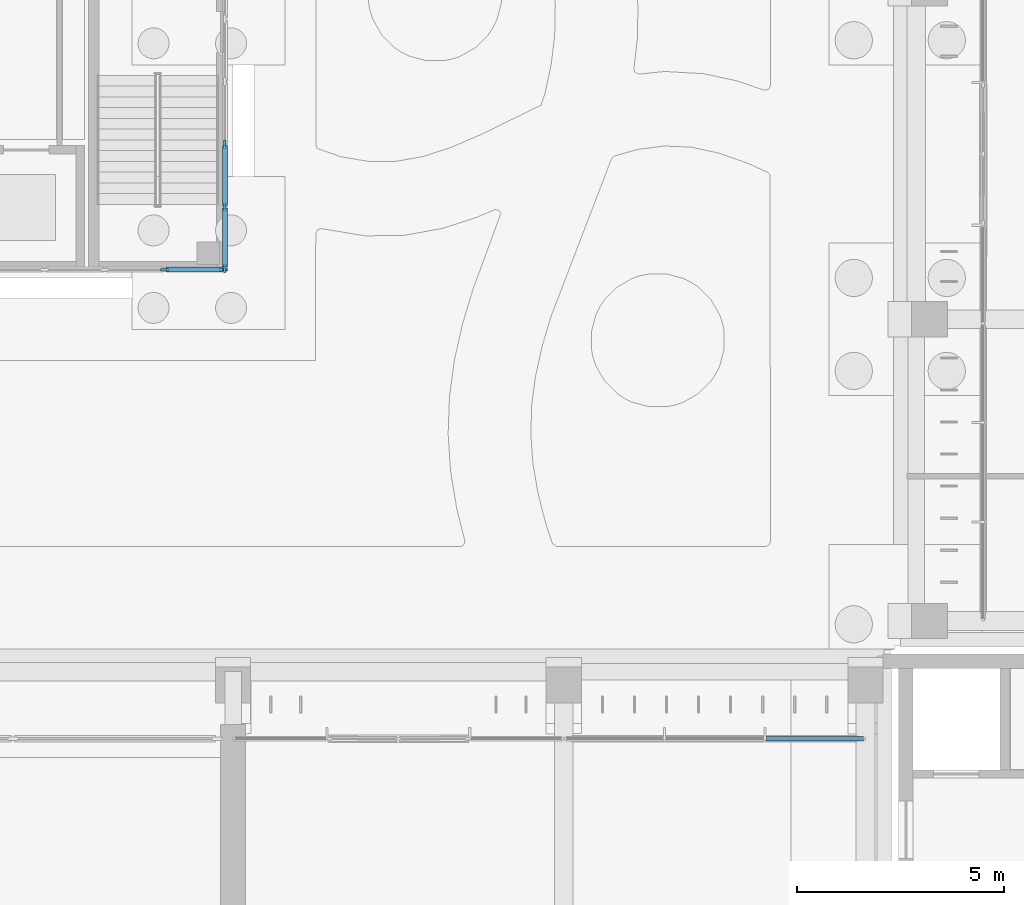
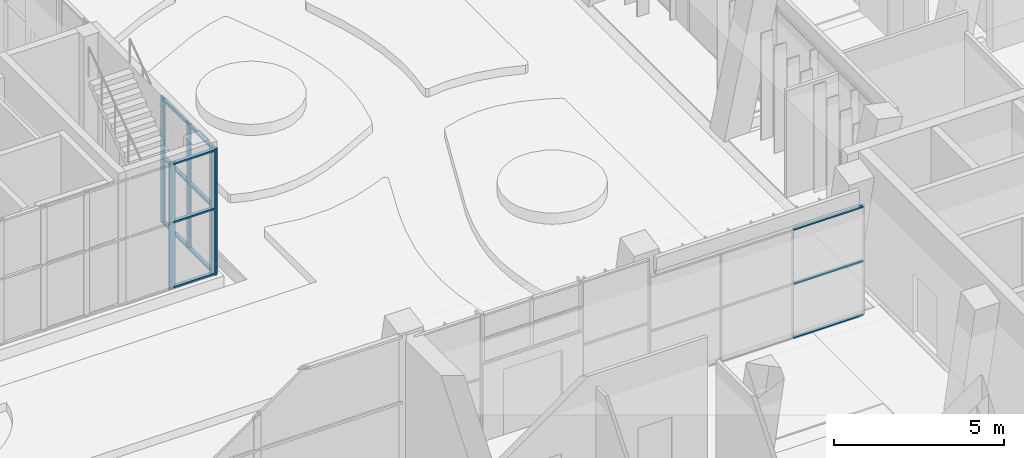
# One storey, part 69 of 144: 17 members, 3 elements without a shape of their own.
"""IFC4 building model written with IfcOpenShell, lengths in metres."""

import ifcopenshell
import ifcopenshell.guid

model = None  # the IFC model being written
_history = None  # IfcOwnerHistory: only IFC2X3 demands one
_inside = {}  # id of a spatial element -> (the spatial element, [elements in it])
_under = {}  # id of a project, library or spatial element -> (it, [spatial elements below it])
_declared = {}  # id of a project -> (the project, [libraries it declares])
_typed = {}  # id of a type object -> (the type object, [elements of that type])
_made_of = {}  # id of a material, layer set ... -> (it, [elements and type objects made of it])


def new_model(schema):
    """Start an empty IFC model of exactly this schema.

    Asked for "IFC4X3", IfcOpenShell would pick the latest addendum, in which some entities
    have other attributes; the version numbers below select the first issue.
    IFC2X3 requires an IfcOwnerHistory on every rooted entity: one is made here for all.
    """
    global model, _history
    if schema == "IFC4X3":
        model = ifcopenshell.file(schema_version=(4, 3, 0, 0))
    else:
        model = ifcopenshell.file(schema=schema)
    _inside.clear()
    _under.clear()
    _declared.clear()
    _typed.clear()
    _made_of.clear()
    _history = None
    if model.schema == "IFC2X3":
        org = make("IfcOrganization", Name="unknown")
        user = make(
            "IfcPersonAndOrganization",
            ThePerson=make("IfcPerson", FamilyName="unknown"),
            TheOrganization=org,
        )
        app = make(
            "IfcApplication",
            ApplicationDeveloper=org,
            Version="unknown",
            ApplicationFullName="unknown",
            ApplicationIdentifier="unknown",
        )
        _history = make(
            "IfcOwnerHistory",
            OwningUser=user,
            OwningApplication=app,
            ChangeAction="ADDED",
            CreationDate=0,
        )
    return model


def make(cls, **values):
    """One entity of the class cls with the attributes given. An attribute that is None is left unset."""
    return model.create_entity(
        cls, **{name: value for name, value in values.items() if value is not None}
    )


def rooted(cls, **values):
    """An entity with a GlobalId (a new one), such as an element, a storey or a relation."""
    return make(cls, GlobalId=ifcopenshell.guid.new(), OwnerHistory=_history, **values)


def si_unit(unit_type, name, prefix=None):
    """IfcSIUnit, for example si_unit("LENGTHUNIT", "METRE", prefix="MILLI")."""
    return make("IfcSIUnit", UnitType=unit_type, Prefix=prefix, Name=name)


def assignment(units):
    """IfcUnitAssignment: the units of a project."""
    return None if units is None else make("IfcUnitAssignment", Units=units)


def point(xyz):
    """IfcCartesianPoint."""
    return None if xyz is None else make("IfcCartesianPoint", Coordinates=xyz)


def direction(xyz):
    """IfcDirection."""
    return None if xyz is None else make("IfcDirection", DirectionRatios=xyz)


def frame(location, z_axis=None, x_axis=None):
    """IfcAxis2Placement3D, a coordinate frame: its origin and axes. An axis left out is left unset."""
    return make(
        "IfcAxis2Placement3D",
        Location=point(location),
        Axis=direction(z_axis),
        RefDirection=direction(x_axis),
    )


def frame_2d(location, x_axis=None):
    """IfcAxis2Placement2D, a coordinate frame in the plane: its origin and x axis."""
    return make(
        "IfcAxis2Placement2D", Location=point(location), RefDirection=direction(x_axis)
    )


def origin():
    """The frame at (0, 0, 0) with its axes left unset."""
    return frame((0.0, 0.0, 0.0))


def origin_2d():
    """The frame at (0, 0) in the plane with its x axis left unset."""
    return frame_2d((0.0, 0.0))


def place(relative_to, where):
    """IfcLocalPlacement: puts the frame where relative to a parent placement (None: the world)."""
    return make(
        "IfcLocalPlacement", PlacementRelTo=relative_to, RelativePlacement=where
    )


def context(
    kind, dimensions, precision=None, world=None, true_north=None, identifier=None
):
    """IfcGeometricRepresentationContext, for example the 3D "Model" context."""
    return make(
        "IfcGeometricRepresentationContext",
        ContextIdentifier=identifier,
        ContextType=kind,
        CoordinateSpaceDimension=dimensions,
        Precision=precision,
        WorldCoordinateSystem=world,
        TrueNorth=true_north,
    )


def subcontext(parent, identifier, kind, view, scale=None):
    """IfcGeometricRepresentationSubContext, for example "Body" below "Model"."""
    return make(
        "IfcGeometricRepresentationSubContext",
        ContextIdentifier=identifier,
        ContextType=kind,
        ParentContext=parent,
        TargetScale=scale,
        TargetView=view,
    )


def project(units=None, contexts=None):
    """IfcProject with its units and contexts."""
    return rooted(
        "IfcProject",
        Name="project",
        RepresentationContexts=contexts,
        UnitsInContext=assignment(units),
    )


def spatial(cls, under=None, at=None, **own):
    """A site, building, storey or space (cls), placed at a placement, below another one or the project."""
    s = rooted(cls, ObjectPlacement=at, **own)
    if under is not None:
        _under.setdefault(under.id(), (under, []))[1].append(s)
    return s


def profile(cls, at=None, kind="AREA", **sizes):
    """A parametric profile (cls). Its sizes go by their IFC names, for example OverallWidth=200.0."""
    return make(cls, ProfileType=kind, Position=at, **sizes)


def rectangle(**sizes):
    """IfcRectangleProfileDef."""
    return profile("IfcRectangleProfileDef", **sizes)


def extrude(swept, where, along, depth):
    """IfcExtrudedAreaSolid: the profile swept, set in the frame where, extruded along a direction by depth."""
    return make(
        "IfcExtrudedAreaSolid",
        SweptArea=swept,
        Position=where,
        ExtrudedDirection=direction(along),
        Depth=depth,
    )


def shape(context_of_items, identifier, shape_type, items):
    """IfcShapeRepresentation: the items that make up one representation, for example the "Body"."""
    return make(
        "IfcShapeRepresentation",
        ContextOfItems=context_of_items,
        RepresentationIdentifier=identifier,
        RepresentationType=shape_type,
        Items=items,
    )


def material(Name=None, Category=None):
    """IfcMaterial."""
    return make("IfcMaterial", Name=Name, Category=Category)


def layer(
    of_material, thickness, ventilated=None, Name=None, Category=None, Priority=None
):
    """IfcMaterialLayer: one layer of a wall or slab, of a material (None: an air gap)."""
    return make(
        "IfcMaterialLayer",
        Material=of_material,
        LayerThickness=thickness,
        IsVentilated=ventilated,
        Name=Name,
        Category=Category,
        Priority=Priority,
    )


def layer_set(layers, Name=None):
    """IfcMaterialLayerSet."""
    return make("IfcMaterialLayerSet", MaterialLayers=layers, LayerSetName=Name)


def material_profile(
    of_material, cross_section, Name=None, Category=None, Priority=None
):
    """IfcMaterialProfile: a cross section and its material."""
    return make(
        "IfcMaterialProfile",
        Name=Name,
        Material=of_material,
        Profile=cross_section,
        Priority=Priority,
        Category=Category,
    )


def profile_set(profiles, Name=None, composite=None):
    """IfcMaterialProfileSet."""
    return make(
        "IfcMaterialProfileSet",
        Name=Name,
        MaterialProfiles=profiles,
        CompositeProfile=composite,
    )


def made_of(thing, what):
    """Note that an element or type object is made of a material, layer set ...; save() writes the relation."""
    if what is not None:
        _made_of.setdefault(what.id(), (what, []))[1].append(thing)
    return thing


def type_object(cls, material=None, **own):
    """A type object (cls), such as IfcWallType, which elements share."""
    return made_of(rooted(cls, **own), material)


def element(
    cls,
    number,
    at=None,
    inside=None,
    cuts=None,
    type_object=None,
    material=None,
    context=None,
    identifier="Body",
    shape_type=None,
    held_by="IfcProductDefinitionShape",
    body=None,
    shapes=None,
    **own,
):
    """One element of the class cls, such as IfcWall. Its Tag is "e" and its number.

    at: its placement. inside: the storey or other place that contains it. cuts: it is an
    opening in that element (IfcRelVoidsElement). A single representation is given by context,
    identifier, shape_type and body (its items); several are given by shapes. held_by: the class
    of the entity that holds the representations. save() writes the other relations.
    """
    e = rooted(cls, Tag="e%d" % number, ObjectPlacement=at, **own)
    if body is not None:
        shapes = [shape(context, identifier, shape_type, body)]
    if shapes is not None:
        e.Representation = make(held_by, Representations=shapes)
    if inside is not None:
        _inside.setdefault(inside.id(), (inside, []))[1].append(e)
    if cuts is not None:
        rooted(
            "IfcRelVoidsElement", RelatingBuildingElement=cuts, RelatedOpeningElement=e
        )
    if type_object is not None:
        _typed.setdefault(type_object.id(), (type_object, []))[1].append(e)
    return made_of(e, material)


def aggregate(whole, parts):
    """IfcRelAggregates: a whole, such as a stair, and the parts it consists of."""
    return rooted("IfcRelAggregates", RelatingObject=whole, RelatedObjects=parts)


def save(model, path):
    """Write the relations noted so far, then the file.

    IfcRelAggregates (storeys below a building ...), IfcRelContainedInSpatialStructure (elements
    in a storey), IfcRelDefinesByType, IfcRelAssociatesMaterial and IfcRelDeclares: one each for
    every whole, place, type object, material and project.
    """
    for whole, parts in _under.values():
        aggregate(whole, parts)
    for where, things in _inside.values():
        rooted(
            "IfcRelContainedInSpatialStructure",
            RelatedElements=things,
            RelatingStructure=where,
        )
    for kind, things in _typed.values():
        rooted("IfcRelDefinesByType", RelatedObjects=things, RelatingType=kind)
    for what, things in _made_of.values():
        rooted("IfcRelAssociatesMaterial", RelatedObjects=things, RelatingMaterial=what)
    for by, libraries in _declared.values():
        rooted("IfcRelDeclares", RelatingContext=by, RelatedDefinitions=libraries)
    model.write(path)


model = new_model("IFC4")

# Units and contexts
model_context = context("Model", 3, precision=1e-05, world=origin(), true_north=direction((0.0, 1.0)))
body_context = subcontext(model_context, "Body", "Model", "MODEL_VIEW")
ifc_project = project(units=[si_unit("LENGTHUNIT", "METRE"), si_unit("AREAUNIT", "SQUARE_METRE"), si_unit("VOLUMEUNIT", "CUBIC_METRE"), si_unit("PLANEANGLEUNIT", "RADIAN"), si_unit("MASSUNIT", "GRAM", prefix="KILO")], contexts=[model_context])

# Site, building, storey
site_placement = place(None, origin())
site = spatial("IfcSite", under=ifc_project, at=site_placement, CompositionType="ELEMENT")
building_placement = place(site_placement, origin())
building = spatial("IfcBuilding", under=site, at=building_placement, Name="Lantern Court Media Centre", CompositionType="ELEMENT")
storey_placement = place(building_placement, origin())
storey = spatial("IfcBuildingStorey", under=building, at=storey_placement, Name="L00", CompositionType="ELEMENT", Elevation=0.0)

# Curtain wall, members
ifc_material_1 = material(Name="Curtain wall bay 2400")
curtain_wall_type_1 = type_object("IfcCurtainWallType", Name="Curtain wall bay 2400", PredefinedType="NOTDEFINED", material=ifc_material_1)
curtain_wall_1_placement = place(storey_placement, origin())
curtain_wall_1 = element("IfcCurtainWall", 1, at=curtain_wall_1_placement, inside=storey, type_object=curtain_wall_type_1, Name="Curtain wall S inner L00", PredefinedType="NOTDEFINED")
ifc_material_2 = material(Name="Anodised aluminium", Category="aluminium")
ifc_material_profile_1 = material_profile(ifc_material_2, rectangle(XDim=0.10009765625, YDim=0.050048828125, at=origin_2d()), Name="AL 50x100")
ifc_profile_set_1 = profile_set([ifc_material_profile_1], Name="Anodised aluminium")
member_type_1 = type_object("IfcMemberType", Name="Curtain wall transom 100x50", PredefinedType="USERDEFINED", material=ifc_profile_set_1)
member_1_placement = place(storey_placement, frame((76.8916015625, 61.85009765625, 0.02490234375), z_axis=(1.0, 0.0, 0.0), x_axis=(0.0, 1.0, 0.0)))
member_1 = element("IfcMember", 2, at=member_1_placement, type_object=member_type_1, Name="CW2 transom 3.1", ObjectType="TRANSOM", PredefinedType="USERDEFINED", context=body_context, shape_type="SweptSolid", body=[
    extrude(rectangle(XDim=0.10009765625, YDim=0.050048828125, at=origin_2d()), origin(), (0.0, 0.0, 1.0), 2.3583984375),
])
member_2_placement = place(storey_placement, frame((76.8916015625, 61.85009765625, 1.97509765625), z_axis=(1.0, 0.0, 0.0), x_axis=(0.0, 1.0, 0.0)))
member_2 = element("IfcMember", 3, at=member_2_placement, type_object=member_type_1, Name="CW2 transom 3.2", ObjectType="TRANSOM", PredefinedType="USERDEFINED", context=body_context, shape_type="SweptSolid", body=[
    extrude(rectangle(XDim=0.10009765625, YDim=0.050048828125, at=origin_2d()), origin(), (0.0, 0.0, 1.0), 2.3583984375),
])
member_3_placement = place(storey_placement, frame((76.8916015625, 61.85009765625, 3.925048828125), z_axis=(1.0, 0.0, 0.0), x_axis=(0.0, 1.0, 0.0)))
member_3 = element("IfcMember", 4, at=member_3_placement, type_object=member_type_1, Name="CW2 transom 3.3", ObjectType="TRANSOM", PredefinedType="USERDEFINED", context=body_context, shape_type="SweptSolid", body=[
    extrude(rectangle(XDim=0.10009765625, YDim=0.050048828125, at=origin_2d()), origin(), (0.0, 0.0, 1.0), 2.3583984375),
])
aggregate(curtain_wall_1, [member_1, member_2, member_3])

ifc_material_3 = material(Name="Aluminium and glass", Category="aluminium")
ifc_layer = layer(ifc_material_3, 0.14990234375)
ifc_layer_set = layer_set([ifc_layer], Name="Aluminium and glass")
curtain_wall_type_2 = type_object("IfcCurtainWallType", Name="Hall lancet glazing", PredefinedType="NOTDEFINED", material=ifc_layer_set)
curtain_wall_2_placement = place(storey_placement, origin())
curtain_wall_2 = element("IfcCurtainWall", 5, at=curtain_wall_2_placement, inside=storey, type_object=curtain_wall_type_2, Name="Press box glazing S 2", PredefinedType="NOTDEFINED")
ifc_material_4 = material(Name="Aluminium, anodised", Category="aluminium")
ifc_material_profile_2 = material_profile(ifc_material_4, rectangle(XDim=0.06005859375, YDim=0.199951171875, at=origin_2d()), Name="HM")
ifc_profile_set_2 = profile_set([ifc_material_profile_2], Name="Aluminium, anodised")
member_type_2 = type_object("IfcMemberType", Name="HM", PredefinedType="MULLION", material=ifc_profile_set_2)
member_4_placement = place(storey_placement, frame((62.345458984375, 73.199951171875, 0.0), z_axis=(0.0, 0.0, 1.0), x_axis=(0.0, 1.0, 0.0)))
member_4 = element("IfcMember", 6, at=member_4_placement, type_object=member_type_2, Name="HCW-PS2 mullion 11", PredefinedType="MULLION", context=body_context, shape_type="SweptSolid", body=[
    extrude(rectangle(XDim=0.06005859375, YDim=0.199951171875, at=origin_2d()), origin(), (0.0, 0.0, 1.0), 4.550048828125),
])
member_5_placement = place(storey_placement, frame((63.77001953125, 73.199951171875, 0.0), z_axis=(0.0, 0.0, 1.0), x_axis=(0.0, 1.0, 0.0)))
member_5 = element("IfcMember", 7, at=member_5_placement, type_object=member_type_2, Name="HCW-PS2 mullion 12", PredefinedType="MULLION", context=body_context, shape_type="SweptSolid", body=[
    extrude(rectangle(XDim=0.06005859375, YDim=0.199951171875, at=origin_2d()), origin(), (0.0, 0.0, 1.0), 4.550048828125),
])

curtain_wall_3_placement = place(storey_placement, origin())
curtain_wall_3 = element("IfcCurtainWall", 8, at=curtain_wall_3_placement, inside=storey, type_object=curtain_wall_type_2, Name="Press box glazing E 1", PredefinedType="NOTDEFINED")
member_6_placement = place(storey_placement, frame((63.800048828125, 73.22998046875, 0.0), z_axis=(0.0, 0.0, 1.0), x_axis=(-1.0, 0.0, 0.0)))
member_6 = element("IfcMember", 9, at=member_6_placement, type_object=member_type_2, Name="HCW-PE1 mullion 1", PredefinedType="MULLION", context=body_context, shape_type="SweptSolid", body=[
    extrude(rectangle(XDim=0.06005859375, YDim=0.199951171875, at=origin_2d()), origin(), (0.0, 0.0, 1.0), 4.550048828125),
])
member_7_placement = place(storey_placement, frame((63.800048828125, 74.716552734375, 0.0), z_axis=(0.0, 0.0, 1.0), x_axis=(-1.0, 0.0, 0.0)))
member_7 = element("IfcMember", 10, at=member_7_placement, type_object=member_type_2, Name="HCW-PE1 mullion 2", PredefinedType="MULLION", context=body_context, shape_type="SweptSolid", body=[
    extrude(rectangle(XDim=0.06005859375, YDim=0.199951171875, at=origin_2d()), origin(), (0.0, 0.0, 1.0), 4.550048828125),
])
member_8_placement = place(storey_placement, frame((63.800048828125, 76.2333984375, 0.0), z_axis=(0.0, 0.0, 1.0), x_axis=(-1.0, 0.0, 0.0)))
member_8 = element("IfcMember", 11, at=member_8_placement, type_object=member_type_2, Name="HCW-PE1 mullion 3", PredefinedType="MULLION", context=body_context, shape_type="SweptSolid", body=[
    extrude(rectangle(XDim=0.06005859375, YDim=0.199951171875, at=origin_2d()), origin(), (0.0, 0.0, 1.0), 4.550048828125),
])

# Member
ifc_material_profile_3 = material_profile(ifc_material_4, rectangle(XDim=0.1201171875, YDim=0.06005859375, at=origin_2d()), Name="HT")
ifc_profile_set_3 = profile_set([ifc_material_profile_3], Name="Aluminium, anodised")
member_type_3 = type_object("IfcMemberType", Name="HT", PredefinedType="USERDEFINED", material=ifc_profile_set_3)
member_9_placement = place(storey_placement, frame((62.37548828125, 73.199951171875, 0.06005859375), z_axis=(1.0, 0.0, 0.0), x_axis=(0.0, 1.0, 0.0)))
member_9 = element("IfcMember", 12, at=member_9_placement, type_object=member_type_3, Name="HCW-PS2 transom 11.1", ObjectType="TRANSOM", PredefinedType="USERDEFINED", context=body_context, shape_type="SweptSolid", body=[
    extrude(rectangle(XDim=0.1201171875, YDim=0.06005859375, at=origin_2d()), origin(), (0.0, 0.0, 1.0), 1.364501953125),
])

member_10_placement = place(storey_placement, frame((62.37548828125, 73.199951171875, 2.39990234375), z_axis=(1.0, 0.0, 0.0), x_axis=(0.0, 1.0, 0.0)))
member_10 = element("IfcMember", 13, at=member_10_placement, type_object=member_type_3, Name="HCW-PS2 transom 11.2", ObjectType="TRANSOM", PredefinedType="USERDEFINED", context=body_context, shape_type="SweptSolid", body=[
    extrude(rectangle(XDim=0.1201171875, YDim=0.06005859375, at=origin_2d()), origin(), (0.0, 0.0, 1.0), 1.364501953125),
])

member_11_placement = place(storey_placement, frame((62.37548828125, 73.199951171875, 4.489990234375), z_axis=(1.0, 0.0, 0.0), x_axis=(0.0, 1.0, 0.0)))
member_11 = element("IfcMember", 14, at=member_11_placement, type_object=member_type_3, Name="HCW-PS2 transom 11.3", ObjectType="TRANSOM", PredefinedType="USERDEFINED", context=body_context, shape_type="SweptSolid", body=[
    extrude(rectangle(XDim=0.1201171875, YDim=0.06005859375, at=origin_2d()), origin(), (0.0, 0.0, 1.0), 1.364501953125),
])

aggregate(curtain_wall_2, [member_4, member_5, member_9, member_10, member_11])

member_12_placement = place(storey_placement, frame((63.800048828125, 73.260009765625, 0.06005859375), z_axis=(0.0, 1.0, 0.0), x_axis=(-1.0, 0.0, 0.0)))
member_12 = element("IfcMember", 15, at=member_12_placement, type_object=member_type_3, Name="HCW-PE1 transom 1.1", ObjectType="TRANSOM", PredefinedType="USERDEFINED", context=body_context, shape_type="SweptSolid", body=[
    extrude(rectangle(XDim=0.1201171875, YDim=0.06005859375, at=origin_2d()), origin(), (0.0, 0.0, 1.0), 1.4267578125),
])

member_13_placement = place(storey_placement, frame((63.800048828125, 73.260009765625, 2.39990234375), z_axis=(0.0, 1.0, 0.0), x_axis=(-1.0, 0.0, 0.0)))
member_13 = element("IfcMember", 16, at=member_13_placement, type_object=member_type_3, Name="HCW-PE1 transom 1.2", ObjectType="TRANSOM", PredefinedType="USERDEFINED", context=body_context, shape_type="SweptSolid", body=[
    extrude(rectangle(XDim=0.1201171875, YDim=0.06005859375, at=origin_2d()), origin(), (0.0, 0.0, 1.0), 1.4267578125),
])

member_14_placement = place(storey_placement, frame((63.800048828125, 73.260009765625, 4.489990234375), z_axis=(0.0, 1.0, 0.0), x_axis=(-1.0, 0.0, 0.0)))
member_14 = element("IfcMember", 17, at=member_14_placement, type_object=member_type_3, Name="HCW-PE1 transom 1.3", ObjectType="TRANSOM", PredefinedType="USERDEFINED", context=body_context, shape_type="SweptSolid", body=[
    extrude(rectangle(XDim=0.1201171875, YDim=0.06005859375, at=origin_2d()), origin(), (0.0, 0.0, 1.0), 1.4267578125),
])

member_15_placement = place(storey_placement, frame((63.800048828125, 74.74658203125, 0.06005859375), z_axis=(0.0, 1.0, 0.0), x_axis=(-1.0, 0.0, 0.0)))
member_15 = element("IfcMember", 18, at=member_15_placement, type_object=member_type_3, Name="HCW-PE1 transom 2.1", ObjectType="TRANSOM", PredefinedType="USERDEFINED", context=body_context, shape_type="SweptSolid", body=[
    extrude(rectangle(XDim=0.1201171875, YDim=0.06005859375, at=origin_2d()), origin(), (0.0, 0.0, 1.0), 1.456787109375),
])

member_16_placement = place(storey_placement, frame((63.800048828125, 74.74658203125, 2.39990234375), z_axis=(0.0, 1.0, 0.0), x_axis=(-1.0, 0.0, 0.0)))
member_16 = element("IfcMember", 19, at=member_16_placement, type_object=member_type_3, Name="HCW-PE1 transom 2.2", ObjectType="TRANSOM", PredefinedType="USERDEFINED", context=body_context, shape_type="SweptSolid", body=[
    extrude(rectangle(XDim=0.1201171875, YDim=0.06005859375, at=origin_2d()), origin(), (0.0, 0.0, 1.0), 1.456787109375),
])

member_17_placement = place(storey_placement, frame((63.800048828125, 74.74658203125, 4.489990234375), z_axis=(0.0, 1.0, 0.0), x_axis=(-1.0, 0.0, 0.0)))
member_17 = element("IfcMember", 20, at=member_17_placement, type_object=member_type_3, Name="HCW-PE1 transom 2.3", ObjectType="TRANSOM", PredefinedType="USERDEFINED", context=body_context, shape_type="SweptSolid", body=[
    extrude(rectangle(XDim=0.1201171875, YDim=0.06005859375, at=origin_2d()), origin(), (0.0, 0.0, 1.0), 1.456787109375),
])

aggregate(curtain_wall_3, [member_6, member_7, member_8, member_12, member_13, member_14, member_15, member_16, member_17])

save(model, "model.ifc")
